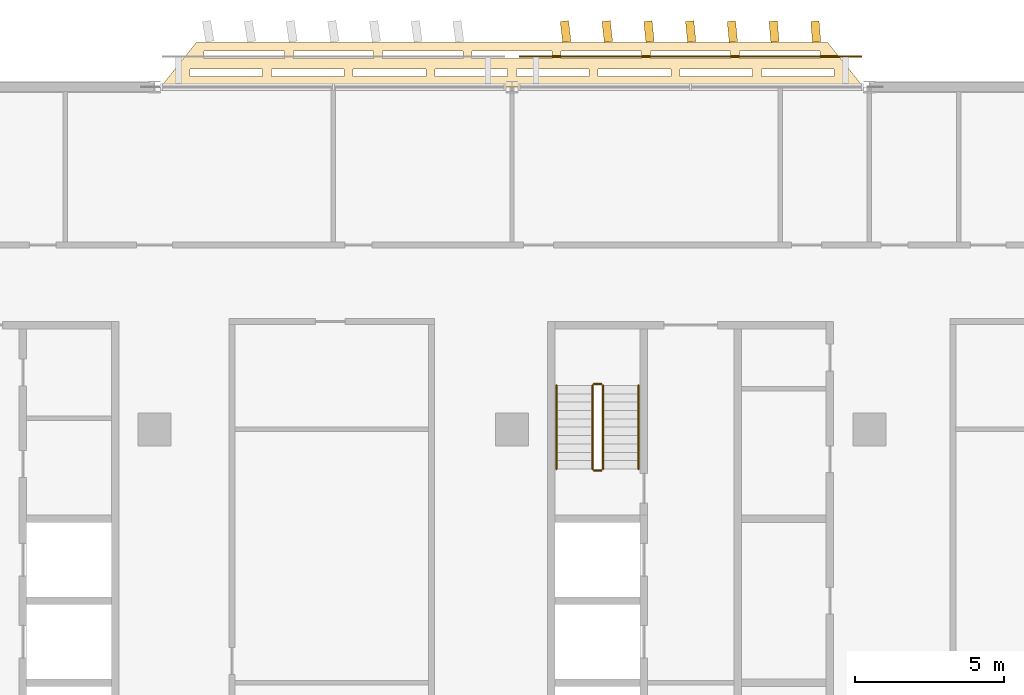
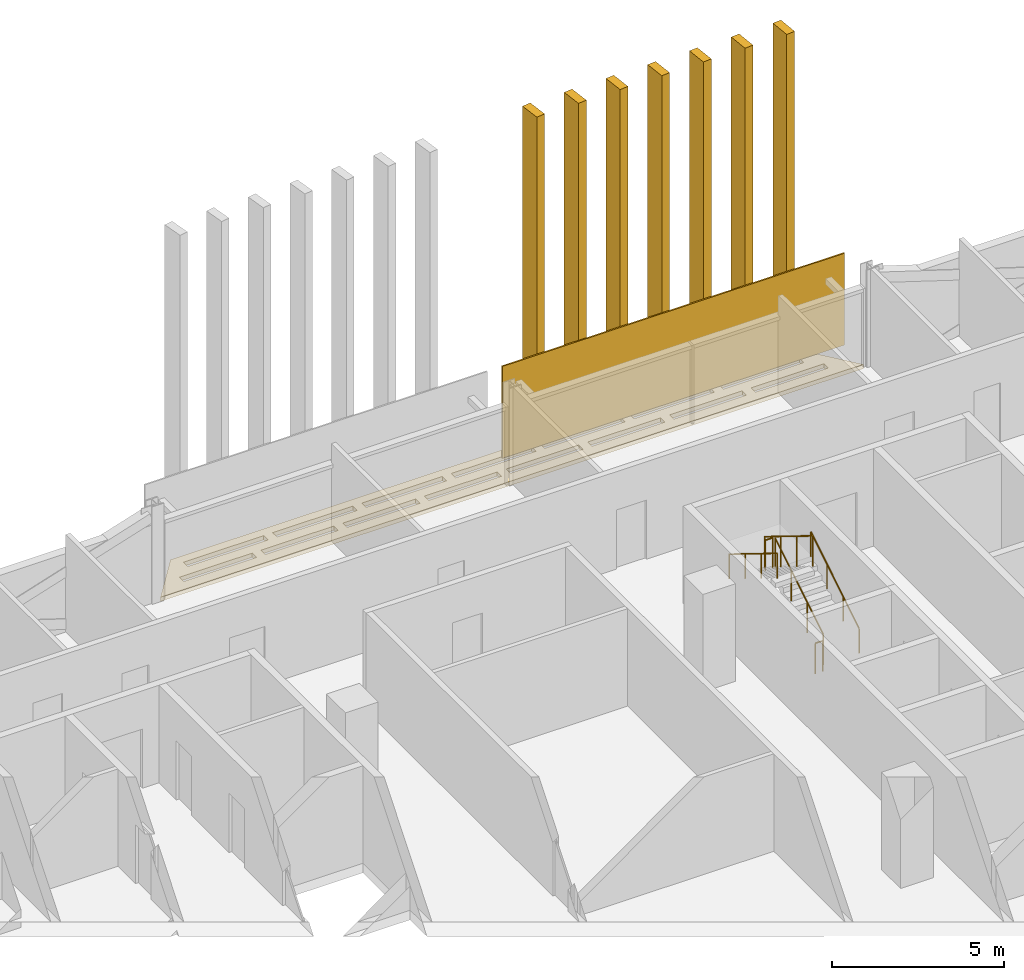
# One storey, part 27 of 28: 9 coverings, 6 railings.
"""IFC4 building model written with IfcOpenShell, lengths in metres."""

from ifc_helpers import new_model, si_unit, direction, frame, origin, origin_2d, place, context, subcontext, project, spatial, polyline, rectangle, circle, outline, extrude, material, layer, layer_set, type_object, element, save


model = new_model("IFC4")

# Units and contexts
model_context = context("Model", 3, precision=1e-05, world=origin(), true_north=direction((0.0, 1.0)))
body_context = subcontext(model_context, "Body", "Model", "MODEL_VIEW")
ifc_project = project(units=[si_unit("LENGTHUNIT", "METRE"), si_unit("AREAUNIT", "SQUARE_METRE"), si_unit("VOLUMEUNIT", "CUBIC_METRE"), si_unit("PLANEANGLEUNIT", "RADIAN"), si_unit("MASSUNIT", "GRAM", prefix="KILO")], contexts=[model_context])

# Site, building, storey
site_placement = place(None, origin())
site = spatial("IfcSite", under=ifc_project, at=site_placement, CompositionType="ELEMENT")
building_placement = place(site_placement, origin())
building = spatial("IfcBuilding", under=site, at=building_placement, Name="Mahtab Terrace Research Tower", CompositionType="ELEMENT")
storey_placement = place(building_placement, frame((0.0, 0.0, 193.89990234375)))
storey = spatial("IfcBuildingStorey", under=building, at=storey_placement, Name="L46", CompositionType="ELEMENT", Elevation=193.89990234375)

# Coverings
ifc_material_1 = material(Name="Black anodised aluminium", Category="aluminium")
ifc_layer_1 = layer(ifc_material_1, 0.14990234375)
ifc_layer_set_1 = layer_set([ifc_layer_1], Name="Horizontal sunshade band")
covering_type_1 = type_object("IfcCoveringType", Name="Horizontal sunshade band", PredefinedType="CLADDING", material=ifc_layer_set_1)
covering_1_placement = place(storey_placement, frame((0.0, 0.0, -0.14990234375)))
element("IfcCovering", 1, at=covering_1_placement, inside=storey, type_object=covering_type_1, Name="Sunshade band L46 5", PredefinedType="CLADDING", context=body_context, shape_type="SweptSolid", body=[
    extrude(outline(polyline([(29.800048828125, 23.0), (6.199951171875, 23.0), (7.39990234375, 24.5), (28.60009765625, 24.5), (29.800048828125, 23.0)]), holes=[polyline([(28.820068359375, 23.35009765625), (26.3779296875, 23.35009765625), (26.3779296875, 23.60009765625), (28.820068359375, 23.60009765625), (28.820068359375, 23.35009765625)]), polyline([(26.077880859375, 23.35009765625), (23.635009765625, 23.35009765625), (23.635009765625, 23.60009765625), (26.077880859375, 23.60009765625), (26.077880859375, 23.35009765625)]), polyline([(23.3349609375, 23.35009765625), (20.89306640625, 23.35009765625), (20.89306640625, 23.60009765625), (23.3349609375, 23.60009765625), (23.3349609375, 23.35009765625)]), polyline([(20.593017578125, 23.35009765625), (18.14990234375, 23.35009765625), (18.14990234375, 23.60009765625), (20.593017578125, 23.60009765625), (20.593017578125, 23.35009765625)]), polyline([(17.85009765625, 23.35009765625), (15.406982421875, 23.35009765625), (15.406982421875, 23.60009765625), (17.85009765625, 23.60009765625), (17.85009765625, 23.35009765625)]), polyline([(15.10791015625, 23.35009765625), (12.6650390625, 23.35009765625), (12.6650390625, 23.60009765625), (15.10791015625, 23.60009765625), (15.10791015625, 23.35009765625)]), polyline([(12.364990234375, 23.35009765625), (9.922119140625, 23.35009765625), (9.922119140625, 23.60009765625), (12.364990234375, 23.60009765625), (12.364990234375, 23.35009765625)]), polyline([(9.623046875, 23.35009765625), (7.179931640625, 23.35009765625), (7.179931640625, 23.60009765625), (9.623046875, 23.60009765625), (9.623046875, 23.35009765625)]), polyline([(28.340087890625, 23.949951171875), (25.64306640625, 23.949951171875), (25.64306640625, 24.199951171875), (28.340087890625, 24.199951171875), (28.340087890625, 23.949951171875)]), polyline([(25.343017578125, 23.949951171875), (22.64599609375, 23.949951171875), (22.64599609375, 24.199951171875), (25.343017578125, 24.199951171875), (25.343017578125, 23.949951171875)]), polyline([(22.345947265625, 23.949951171875), (19.64892578125, 23.949951171875), (19.64892578125, 24.199951171875), (22.345947265625, 24.199951171875), (22.345947265625, 23.949951171875)]), polyline([(19.34912109375, 23.949951171875), (16.65087890625, 23.949951171875), (16.65087890625, 24.199951171875), (19.34912109375, 24.199951171875), (19.34912109375, 23.949951171875)]), polyline([(16.35107421875, 23.949951171875), (13.654052734375, 23.949951171875), (13.654052734375, 24.199951171875), (16.35107421875, 24.199951171875), (16.35107421875, 23.949951171875)]), polyline([(13.35400390625, 23.949951171875), (10.656982421875, 23.949951171875), (10.656982421875, 24.199951171875), (13.35400390625, 24.199951171875), (13.35400390625, 23.949951171875)]), polyline([(10.35693359375, 23.949951171875), (7.659912109375, 23.949951171875), (7.659912109375, 24.199951171875), (10.35693359375, 24.199951171875), (10.35693359375, 23.949951171875)])]), origin(), (0.0, 0.0, 1.0), 0.14990234375),
])
ifc_material_2 = material(Name="Bronze anodised aluminium", Category="aluminium")
ifc_layer_2 = layer(ifc_material_2, 0.050048828125)
ifc_layer_set_2 = layer_set([ifc_layer_2], Name="Sky lounge girih screen panel")
covering_type_2 = type_object("IfcCoveringType", Name="Sky lounge girih screen panel", PredefinedType="CLADDING", material=ifc_layer_set_2)
covering_2_placement = place(storey_placement, frame((24.0, 24.02490234375, 0.10009765625), z_axis=(0.0, 0.0, 1.0), x_axis=(-1.0, 0.0, 0.0)))
element("IfcCovering", 2, at=covering_2_placement, inside=storey, type_object=covering_type_2, Name="Girih screen L46 N6", PredefinedType="CLADDING", context=body_context, shape_type="SweptSolid", body=[
    extrude(rectangle(XDim=11.5, YDim=0.050048828125, at=origin_2d()), origin(), (0.0, 0.0, 1.0), 3.260009765625),
])

# Railings
ifc_material_3 = material(Name="Stainless steel AISI 304", Category="steel")
railing_type_1 = type_object("IfcRailingType", Name="Stair guard 1100", PredefinedType="GUARDRAIL", material=ifc_material_3)
railing_1_placement = place(storey_placement, frame((21.050048828125, 10.175048828125, 0.1728515625)))
element("IfcRailing", 3, at=railing_1_placement, inside=storey, type_object=railing_type_1, Name="L46 ST3 stair guard 1", PredefinedType="GUARDRAIL", context=body_context, shape_type="SweptSolid", body=[
    extrude(circle(Radius=0.02392578125, at=origin_2d()), frame((0.0, 0.0, 1.076171875), z_axis=(0.0, 0.851089632645, 0.525020415988), x_axis=(-1.0, 0.0, 0.0)), (0.0, 0.0, 1.0), 3.2900390625),
    extrude(circle(Radius=0.02099609375, at=origin_2d()), origin(), (0.0, 0.0, 1.0), 1.052001953125),
    extrude(circle(Radius=0.02099609375, at=origin_2d()), frame((0.0, 0.933349609375, 0.57568359375)), (0.0, 0.0, 1.0), 1.052001953125),
    extrude(circle(Radius=0.02099609375, at=origin_2d()), frame((0.0, 1.86669921875, 1.151611328125)), (0.0, 0.0, 1.0), 1.052001953125),
    extrude(circle(Radius=0.02099609375, at=origin_2d()), frame((0.0, 2.800048828125, 1.727294921875)), (0.0, 0.0, 1.0), 1.052001953125),
])
railing_2_placement = place(storey_placement, frame((21.0, 13.02490234375, 1.900146484375)))
element("IfcRailing", 4, at=railing_2_placement, inside=storey, type_object=railing_type_1, Name="L46 ST3 stair guard 2", PredefinedType="GUARDRAIL", context=body_context, shape_type="SweptSolid", body=[
    extrude(circle(Radius=0.02392578125, at=origin_2d()), frame((0.0, 0.0, 1.076171875), z_axis=(-1.0, 0.0, 0.0), x_axis=(0.0, -1.0, 0.0)), (0.0, 0.0, 1.0), 0.25),
    extrude(circle(Radius=0.02099609375, at=origin_2d()), origin(), (0.0, 0.0, 1.0), 1.052001953125),
    extrude(circle(Radius=0.02099609375, at=origin_2d()), frame((-0.25, 0.0, 0.0)), (0.0, 0.0, 1.0), 1.052001953125),
])
railing_3_placement = place(storey_placement, frame((20.699951171875, 12.97509765625, 2.07275390625)))
element("IfcRailing", 5, at=railing_3_placement, inside=storey, type_object=railing_type_1, Name="L46 ST3 stair guard 3", PredefinedType="GUARDRAIL", context=body_context, shape_type="SweptSolid", body=[
    extrude(circle(Radius=0.02392578125, at=origin_2d()), frame((0.0, 0.0, 1.076171875), z_axis=(0.0, -0.851089632645, 0.525020415988), x_axis=(1.0, 0.0, 0.0)), (0.0, 0.0, 1.0), 3.2900390625),
    extrude(circle(Radius=0.02099609375, at=origin_2d()), origin(), (0.0, 0.0, 1.0), 1.052001953125),
    extrude(circle(Radius=0.02099609375, at=origin_2d()), frame((0.0, -0.933349609375, 0.57568359375)), (0.0, 0.0, 1.0), 1.052001953125),
    extrude(circle(Radius=0.02099609375, at=origin_2d()), frame((0.0, -1.86669921875, 1.151611328125)), (0.0, 0.0, 1.0), 1.052001953125),
    extrude(circle(Radius=0.02099609375, at=origin_2d()), frame((0.0, -2.800048828125, 1.727294921875)), (0.0, 0.0, 1.0), 1.052001953125),
])
railing_4_placement = place(storey_placement, frame((21.0, 10.125, 0.0)))
element("IfcRailing", 6, at=railing_4_placement, inside=storey, type_object=railing_type_1, Name="L46 ST3 stair guard 4", PredefinedType="GUARDRAIL", context=body_context, shape_type="SweptSolid", body=[
    extrude(circle(Radius=0.02392578125, at=origin_2d()), frame((0.0, 0.0, 1.076171875), z_axis=(-1.0, 0.0, 0.0), x_axis=(0.0, -1.0, 0.0)), (0.0, 0.0, 1.0), 0.25),
    extrude(circle(Radius=0.02099609375, at=origin_2d()), origin(), (0.0, 0.0, 1.0), 1.052001953125),
    extrude(circle(Radius=0.02099609375, at=origin_2d()), frame((-0.25, 0.0, 0.0)), (0.0, 0.0, 1.0), 1.052001953125),
])
railing_type_2 = type_object("IfcRailingType", Name="Stair handrail 900", PredefinedType="HANDRAIL", material=ifc_material_3)
railing_5_placement = place(storey_placement, frame((22.25, 10.175048828125, 0.1728515625)))
element("IfcRailing", 7, at=railing_5_placement, inside=storey, type_object=railing_type_2, Name="L46 ST3 stair handrail 1", PredefinedType="HANDRAIL", context=body_context, shape_type="SweptSolid", body=[
    extrude(circle(Radius=0.02392578125, at=origin_2d()), frame((0.0, 0.0, 0.8759765625), z_axis=(0.0, 0.851089632645, 0.525020415988), x_axis=(-1.0, 0.0, 0.0)), (0.0, 0.0, 1.0), 3.2900390625),
    extrude(circle(Radius=0.02099609375, at=origin_2d()), origin(), (0.0, 0.0, 1.0), 0.851806640625),
    extrude(circle(Radius=0.02099609375, at=origin_2d()), frame((0.0, 0.933349609375, 0.57568359375)), (0.0, 0.0, 1.0), 0.851806640625),
    extrude(circle(Radius=0.02099609375, at=origin_2d()), frame((0.0, 1.86669921875, 1.151611328125)), (0.0, 0.0, 1.0), 0.851806640625),
    extrude(circle(Radius=0.02099609375, at=origin_2d()), frame((0.0, 2.800048828125, 1.727294921875)), (0.0, 0.0, 1.0), 0.851806640625),
])
railing_6_placement = place(storey_placement, frame((19.5, 12.97509765625, 2.07275390625)))
element("IfcRailing", 8, at=railing_6_placement, inside=storey, type_object=railing_type_2, Name="L46 ST3 stair handrail 2", PredefinedType="HANDRAIL", context=body_context, shape_type="SweptSolid", body=[
    extrude(circle(Radius=0.02392578125, at=origin_2d()), frame((0.0, 0.0, 0.8759765625), z_axis=(0.0, -0.851089632645, 0.525020415988), x_axis=(1.0, 0.0, 0.0)), (0.0, 0.0, 1.0), 3.2900390625),
    extrude(circle(Radius=0.02099609375, at=origin_2d()), origin(), (0.0, 0.0, 1.0), 0.851806640625),
    extrude(circle(Radius=0.02099609375, at=origin_2d()), frame((0.0, -0.933349609375, 0.57568359375)), (0.0, 0.0, 1.0), 0.851806640625),
    extrude(circle(Radius=0.02099609375, at=origin_2d()), frame((0.0, -1.86669921875, 1.151611328125)), (0.0, 0.0, 1.0), 0.851806640625),
    extrude(circle(Radius=0.02099609375, at=origin_2d()), frame((0.0, -2.800048828125, 1.727294921875)), (0.0, 0.0, 1.0), 0.851806640625),
])

# Coverings
ifc_layer_3 = layer(ifc_material_2, 0.1201171875)
ifc_layer_set_3 = layer_set([ifc_layer_3], Name="Vertical fin 700")
covering_type_3 = type_object("IfcCoveringType", Name="Vertical fin 700", PredefinedType="CLADDING", material=ifc_layer_set_3)
for number, where, z_axis, x_axis, name in (
    (9, (28.199951171875, 24.8603515625, -0.14990234375), (0.0, 0.0, 1.0), (-0.996616925886, -0.082187000416, 0.0), "Fin L46 N1"),
    (10, (26.800048828125, 24.86083984375, -0.14990234375), (0.0, 0.0, 1.0), (-0.996121918106, -0.087983659104, 0.0), "Fin L46 N2"),
    (11, (25.39990234375, 24.861572265625, -0.14990234375), (0.0, 0.0, 1.0), (-0.995593195301, -0.093777339855, 0.0), "Fin L46 N3"),
    (12, (24.0, 24.8623046875, -0.14990234375), (0.0, 0.0, 1.0), (-0.995030775366, -0.099567846591, 0.0), "Fin L46 N4"),
    (13, (22.60009765625, 24.86279296875, -0.14990234375), (0.0, 0.0, 1.0), (-0.994434677334, -0.105354983343, 0.0), "Fin L46 N5"),
    (14, (21.199951171875, 24.86328125, -0.14990234375), (0.0, 0.0, 1.0), (-0.993804921385, -0.111138554202, 0.0), "Fin L46 N6"),
    (15, (19.800048828125, 24.864013671875, -0.14990234375), (0.0, 0.0, 1.0), (-0.993141528832, -0.116918363435, 0.0), "Fin L46 N7"),
):
    element("IfcCovering", number, at=place(storey_placement, frame(where, z_axis=z_axis, x_axis=x_axis)), inside=storey, type_object=covering_type_3, Name=name, PredefinedType="CLADDING", context=body_context, shape_type="SweptSolid", body=[
        extrude(rectangle(XDim=0.280029296875, YDim=0.699951171875, at=origin_2d()), origin(), (0.0, 0.0, 1.0), 11.550048828125),
    ])

save(model, "model.ifc")
